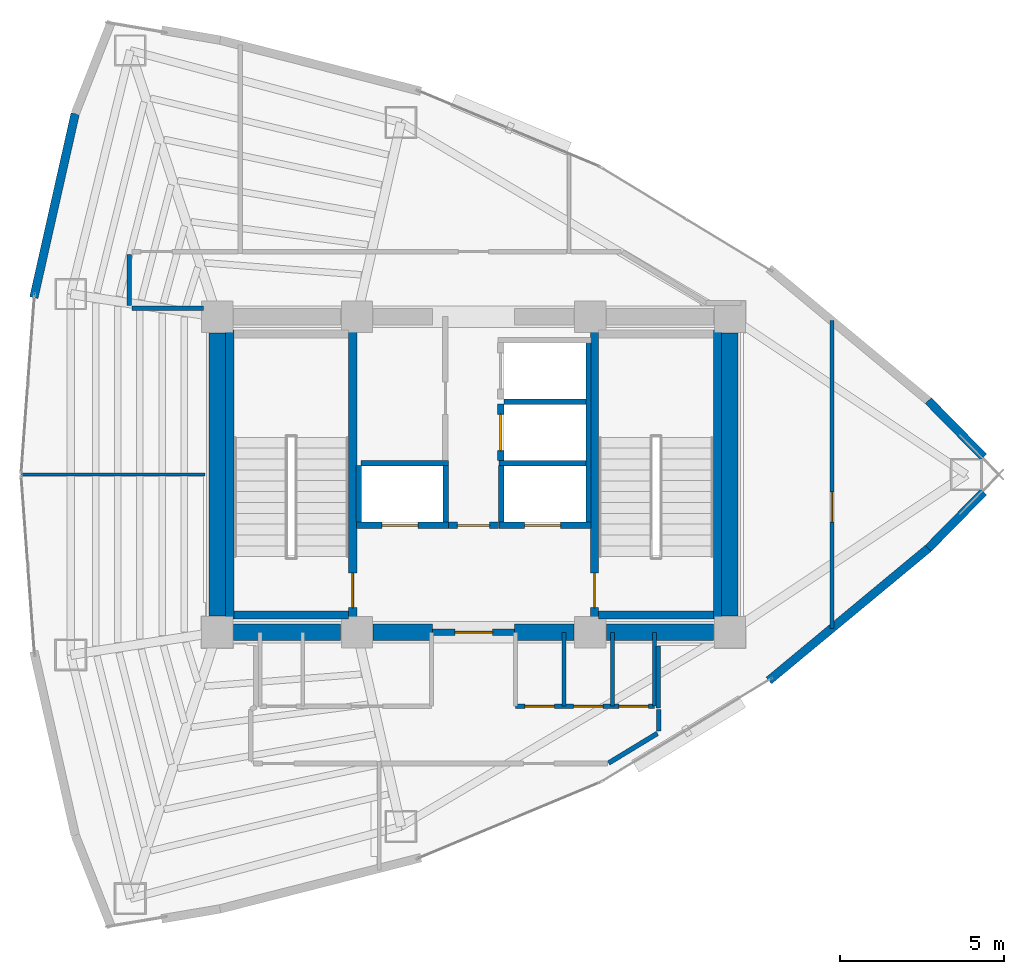
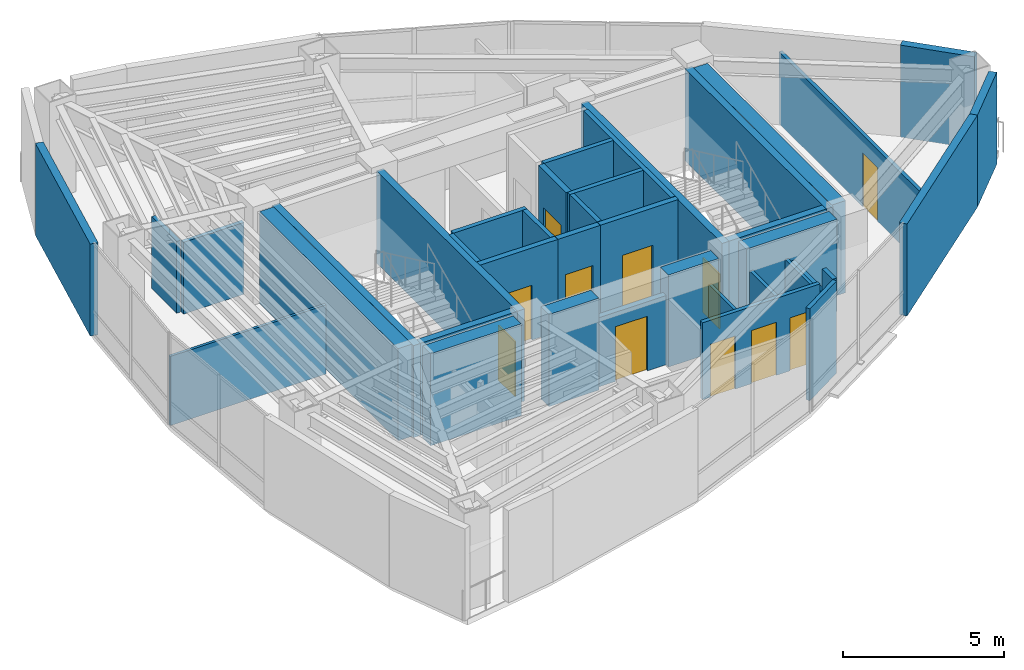
# One storey, part 12 of 15: 39 walls, 11 doors, 11 openings.
"""IFC4 building model written with IfcOpenShell, lengths in metres."""

from ifc_helpers import new_model, si_unit, direction, frame, frame_2d, origin, place, context, subcontext, project, spatial, rectangle, extrude, material, layer, layer_set, type_object, element, fill, save


model = new_model("IFC4")

# Units and contexts
model_context = context("Model", 3, precision=1e-05, world=origin(), true_north=direction((0.0, 1.0)))
body_context = subcontext(model_context, "Body", "Model", "MODEL_VIEW")
ifc_project = project(units=[si_unit("LENGTHUNIT", "METRE"), si_unit("AREAUNIT", "SQUARE_METRE"), si_unit("VOLUMEUNIT", "CUBIC_METRE"), si_unit("PLANEANGLEUNIT", "RADIAN"), si_unit("MASSUNIT", "GRAM", prefix="KILO")], contexts=[model_context])

# Site, building, storey
site_placement = place(None, origin())
site = spatial("IfcSite", under=ifc_project, at=site_placement, CompositionType="ELEMENT")
building_placement = place(site_placement, origin())
building = spatial("IfcBuilding", under=site, at=building_placement, Name="Menara Vayukalpa", CompositionType="ELEMENT")
storey_placement = place(building_placement, frame((0.0, 0.0, 187.800048828125)))
storey = spatial("IfcBuildingStorey", under=building, at=storey_placement, Name="L47", CompositionType="ELEMENT", Elevation=187.800048828125)

# Walls
ifc_material_1 = material(Name="Concrete C60/75", Category="concrete")
ifc_layer_1 = layer(ifc_material_1, 0.5)
ifc_layer_set_1 = layer_set([ifc_layer_1], Name="Concrete C60/75")
wall_type_1 = type_object("IfcWallType", Name="WAL-CW500", PredefinedType="SHEAR", material=ifc_layer_set_1)
wall_1_placement = place(storey_placement, frame((18.294921875, 17.199951171875, 0.0), z_axis=(0.0, 0.0, 1.0), x_axis=(1.0, 0.0, 0.0)))
element("IfcWall", 1, at=wall_1_placement, inside=storey, type_object=wall_type_1, Name="L47 Buttressed Core Shear Wall CWS1", PredefinedType="SHEAR", context=body_context, shape_type="SweptSolid", body=[
    extrude(rectangle(XDim=3.260009765625, YDim=0.5, at=frame_2d((1.6298828125, 0.0))), origin(), (0.0, 0.0, 1.0), 3.5),
])
wall_2_placement = place(storey_placement, frame((22.544921875, 17.199951171875, 0.0), z_axis=(0.0, 0.0, 1.0), x_axis=(1.0, 0.0, 0.0)))
element("IfcWall", 2, at=wall_2_placement, inside=storey, type_object=wall_type_1, Name="L47 Buttressed Core Shear Wall CWS2", PredefinedType="SHEAR", context=body_context, shape_type="SweptSolid", body=[
    extrude(rectangle(XDim=1.80517578125, YDim=0.5, at=frame_2d((0.902587890625, 0.0))), origin(), (0.0, 0.0, 1.0), 3.5),
])
wall_3_placement = place(storey_placement, frame((26.85009765625, 17.199951171875, 0.0), z_axis=(0.0, 0.0, 1.0), x_axis=(1.0, 0.0, 0.0)))
element("IfcWall", 3, at=wall_3_placement, inside=storey, type_object=wall_type_1, Name="L47 Buttressed Core Shear Wall CWS3", PredefinedType="SHEAR", context=body_context, shape_type="SweptSolid", body=[
    extrude(rectangle(XDim=1.804931640625, YDim=0.5, at=frame_2d((0.90234375, 0.0))), origin(), (0.0, 0.0, 1.0), 3.5),
])
wall_4_placement = place(storey_placement, frame((29.64501953125, 17.199951171875, 0.0), z_axis=(0.0, 0.0, 1.0), x_axis=(1.0, 0.0, 0.0)))
element("IfcWall", 4, at=wall_4_placement, inside=storey, type_object=wall_type_1, Name="L47 Buttressed Core Shear Wall CWS4", PredefinedType="SHEAR", context=body_context, shape_type="SweptSolid", body=[
    extrude(rectangle(XDim=3.260009765625, YDim=0.5, at=frame_2d((1.6298828125, 0.0))), origin(), (0.0, 0.0, 1.0), 3.5),
])
for number, where, z_axis, x_axis, name in (
    (5, (17.800048828125, 17.695068359375, 0.0), (0.0, 0.0, 1.0), (0.0, 1.0, 0.0), "L47 Buttressed Core Shear Wall CWW1"),
    (6, (33.39990234375, 17.695068359375, 0.0), (0.0, 0.0, 1.0), (0.0, 1.0, 0.0), "L47 Buttressed Core Shear Wall CWE1"),
):
    element("IfcWall", number, at=place(storey_placement, frame(where, z_axis=z_axis, x_axis=x_axis)), inside=storey, type_object=wall_type_1, Name=name, PredefinedType="SHEAR", context=body_context, shape_type="SweptSolid", body=[
        extrude(rectangle(XDim=8.60986328125, YDim=0.5, at=frame_2d((4.304931640625, 0.0))), origin(), (0.0, 0.0, 1.0), 3.5),
    ])
ifc_material_2 = material(Name="Insulated Precast Concrete C40/50", Category="concrete")
ifc_layer_2 = layer(ifc_material_2, 0.260009765625)
ifc_layer_set_2 = layer_set([ifc_layer_2], Name="Insulated Precast Concrete C40/50")
wall_type_2 = type_object("IfcWallType", Name="WAL-EXT260", PredefinedType="PARTITIONING", material=ifc_layer_set_2)
for number, where, z_axis, x_axis, name in (
    (7, (41.11669921875, 21.466552734375, 0.0), (0.0, 0.0, 1.0), (-0.700567481584, -0.7135861572, 0.0), "L47 Perimeter Terracotta Pier Wall 01"),
    (8, (39.43505859375, 24.246337890625, 0.0), (0.0, 0.0, 1.0), (0.700567481584, -0.7135861572, 0.0), "L47 Perimeter Terracotta Pier Wall 02"),
):
    element("IfcWall", number, at=place(storey_placement, frame(where, z_axis=z_axis, x_axis=x_axis)), inside=storey, type_object=wall_type_2, Name=name, PredefinedType="PARTITIONING", context=body_context, shape_type="SweptSolid", body=[
        extrude(rectangle(XDim=2.400390625, YDim=0.260009765625, at=frame_2d((1.2001953125, 0.0))), origin(), (0.0, 0.0, 1.0), 3.5),
    ])
wall_5_placement = place(storey_placement, frame((12.219970703125, 27.3818359375, 0.0), z_axis=(0.0, 0.0, 1.0), x_axis=(0.219475737697, 0.975617958303, 0.0)))
element("IfcWall", 9, at=wall_5_placement, inside=storey, type_object=wall_type_2, Name="L47 Perimeter Terracotta Pier Wall 09", PredefinedType="PARTITIONING", context=body_context, shape_type="SweptSolid", body=[
    extrude(rectangle(XDim=5.736572265625, YDim=0.260009765625, at=frame_2d((2.8681640625, 0.0))), origin(), (0.0, 0.0, 1.0), 3.5),
])
wall_6_placement = place(storey_placement, frame((39.44384765625, 19.76171875, 0.0), z_axis=(0.0, 0.0, 1.0), x_axis=(-0.769765373155, -0.638326930571, 0.0)))
element("IfcWall", 10, at=wall_6_placement, inside=storey, type_object=wall_type_2, Name="L47 Perimeter Terracotta Pier Wall 18", PredefinedType="PARTITIONING", context=body_context, shape_type="SweptSolid", body=[
    extrude(rectangle(XDim=6.3154296875, YDim=0.260009765625, at=frame_2d((3.15771484375, 0.0))), origin(), (0.0, 0.0, 1.0), 3.5),
])
ifc_material_3 = material(Name="Lightweight Concrete Blockwork C16/20", Category="masonry")
ifc_layer_3 = layer(ifc_material_3, 0.159912109375)
ifc_layer_set_3 = layer_set([ifc_layer_3], Name="Lightweight Concrete Blockwork C16/20")
wall_type_3 = type_object("IfcWallType", Name="WAL-FR150", PredefinedType="PARTITIONING", material=ifc_layer_set_3)
for number, where, z_axis, x_axis, name in (
    (11, (22.10498046875, 20.56005859375, 0.0), (0.0, 0.0, 1.0), (0.0, 1.0, 0.0), "L47 Interior Partition IW-L47-SHW-WW"),
    (12, (24.7548828125, 20.56005859375, 0.0), (0.0, 0.0, 1.0), (0.0, 1.0, 0.0), "L47 Interior Partition IW-L47-SHW-W1E"),
):
    element("IfcWall", number, at=place(storey_placement, frame(where, z_axis=z_axis, x_axis=x_axis)), inside=storey, type_object=wall_type_3, Name=name, PredefinedType="PARTITIONING", context=body_context, shape_type="SweptSolid", body=[
        extrude(rectangle(XDim=1.7099609375, YDim=0.159912109375, at=frame_2d((0.85498046875, 0.0))), origin(), (0.0, 0.0, 1.0), 3.5),
    ])
wall_7_placement = place(storey_placement, frame((22.179931640625, 22.344970703125, 0.0), z_axis=(0.0, 0.0, 1.0), x_axis=(1.0, 0.0, 0.0)))
element("IfcWall", 13, at=wall_7_placement, inside=storey, type_object=wall_type_3, Name="L47 Interior Partition IW-L47-SHM-W12", PredefinedType="PARTITIONING", context=body_context, shape_type="SweptSolid", body=[
    extrude(rectangle(XDim=2.650146484375, YDim=0.159912109375, at=frame_2d((1.3251953125, 0.0))), origin(), (0.0, 0.0, 1.0), 3.5),
])
wall_8_placement = place(storey_placement, frame((29.094970703125, 20.56005859375, 0.0), z_axis=(0.0, 0.0, 1.0), x_axis=(0.0, 1.0, 0.0)))
element("IfcWall", 14, at=wall_8_placement, inside=storey, type_object=wall_type_3, Name="L47 Interior Partition IW-L47-SHW-EE", PredefinedType="PARTITIONING", context=body_context, shape_type="SweptSolid", body=[
    extrude(rectangle(XDim=5.449951171875, YDim=0.159912109375, at=frame_2d((2.72509765625, 0.0))), origin(), (0.0, 0.0, 1.0), 3.5),
])
wall_9_placement = place(storey_placement, frame((26.445068359375, 20.56005859375, 0.0), z_axis=(0.0, 0.0, 1.0), x_axis=(0.0, 1.0, 0.0)))
element("IfcWall", 15, at=wall_9_placement, inside=storey, type_object=wall_type_3, Name="L47 Interior Partition IW-L47-SHW-E1W", PredefinedType="PARTITIONING", context=body_context, shape_type="SweptSolid", body=[
    extrude(rectangle(XDim=1.7099609375, YDim=0.159912109375, at=frame_2d((0.85498046875, 0.0))), origin(), (0.0, 0.0, 1.0), 3.5),
])
wall_10_placement = place(storey_placement, frame((26.3701171875, 22.344970703125, 0.0), z_axis=(0.0, 0.0, 1.0), x_axis=(1.0, 0.0, 0.0)))
element("IfcWall", 16, at=wall_10_placement, inside=storey, type_object=wall_type_3, Name="L47 Interior Partition IW-L47-SHM-E13", PredefinedType="PARTITIONING", context=body_context, shape_type="SweptSolid", body=[
    extrude(rectangle(XDim=2.64990234375, YDim=0.159912109375, at=frame_2d((1.324951171875, 0.0))), origin(), (0.0, 0.0, 1.0), 3.5),
])
wall_11_placement = place(storey_placement, frame((26.530029296875, 24.215087890625, 0.0), z_axis=(0.0, 0.0, 1.0), x_axis=(1.0, 0.0, 0.0)))
element("IfcWall", 17, at=wall_11_placement, inside=storey, type_object=wall_type_3, Name="L47 Interior Partition IW-L47-SHM-E32", PredefinedType="PARTITIONING", context=body_context, shape_type="SweptSolid", body=[
    extrude(rectangle(XDim=2.489990234375, YDim=0.159912109375, at=frame_2d((1.2451171875, 0.0))), origin(), (0.0, 0.0, 1.0), 3.5),
])

# Wall, opening, door
ifc_material_4 = material(Name="Lightweight Concrete Blockwork C16/20", Category="masonry")
ifc_layer_4 = layer(ifc_material_4, 0.199951171875)
ifc_layer_set_4 = layer_set([ifc_layer_4], Name="Lightweight Concrete Blockwork C16/20")
wall_type_4 = type_object("IfcWallType", Name="WAL-FR200", PredefinedType="PARTITIONING", material=ifc_layer_set_4)
wall_12_placement = place(storey_placement, frame((24.35009765625, 17.199951171875, 0.0), z_axis=(0.0, 0.0, 1.0), x_axis=(1.0, 0.0, 0.0)))
wall_12 = element("IfcWall", 18, at=wall_12_placement, inside=storey, type_object=wall_type_4, Name="L47 Interior Partition IW-L47-FFLS", PredefinedType="PARTITIONING", context=body_context, shape_type="SweptSolid", body=[
    extrude(rectangle(XDim=2.5, YDim=0.199951171875, at=frame_2d((1.25, 0.0))), origin(), (0.0, 0.0, 1.0), 2.6298828125),
])
opening_1_placement = place(wall_12_placement, frame((0.679931640625, 0.0, 0.0)))
opening_1 = element("IfcOpeningElement", 19, at=opening_1_placement, cuts=wall_12, Name="Opening ID2", PredefinedType="OPENING", context=body_context, shape_type="SweptSolid", body=[
    extrude(rectangle(XDim=1.14990234375, YDim=2.080078125, at=frame_2d((0.574951171875, 1.0400390625))), frame((0.0, 0.10986328125, 0.0), z_axis=(0.0, -1.0, 0.0), x_axis=(1.0, 0.0, 0.0)), (0.0, 0.0, 1.0), 0.219970703125),
])
ifc_material_5 = material(Name="Fire-Rated Powder-Coated Steel Door", Category="steel")
door_type_1 = type_object("IfcDoorType", Name="DR-FD60W", OperationType="NOTDEFINED", PredefinedType="DOOR", material=ifc_material_5)
door_1_placement = place(opening_1_placement, origin())
door_1 = element("IfcDoor", 20, at=door_1_placement, inside=storey, type_object=door_type_1, Name="L47 Interior Door DR-L47-FFLS", OperationType="SINGLE_SWING_LEFT", OverallHeight=2.080078125, OverallWidth=1.14990234375, PredefinedType="DOOR", context=body_context, shape_type="SweptSolid", body=[
    extrude(rectangle(XDim=1.14990234375, YDim=2.080078125, at=frame_2d((0.574951171875, 1.0400390625))), frame((0.0, 0.02490234375, 0.0), z_axis=(0.0, -1.0, 0.0), x_axis=(1.0, 0.0, 0.0)), (0.0, 0.0, 1.0), 0.050048828125),
])
fill(opening_1, door_1)

wall_13_placement = place(storey_placement, frame((24.840087890625, 20.449951171875, 0.0), z_axis=(0.0, 0.0, 1.0), x_axis=(1.0, 0.0, 0.0)))
wall_13 = element("IfcWall", 21, at=wall_13_placement, inside=storey, type_object=wall_type_4, Name="L47 Interior Partition IW-L47-FFLN", PredefinedType="PARTITIONING", context=body_context, shape_type="SweptSolid", body=[
    extrude(rectangle(XDim=1.52001953125, YDim=0.199951171875, at=frame_2d((0.760009765625, 0.0))), origin(), (0.0, 0.0, 1.0), 3.5),
])
opening_2_placement = place(wall_13_placement, frame((0.27001953125, 0.0, 0.0)))
opening_2 = element("IfcOpeningElement", 22, at=opening_2_placement, cuts=wall_13, Name="Opening ID3", PredefinedType="OPENING", context=body_context, shape_type="SweptSolid", body=[
    extrude(rectangle(XDim=0.97998046875, YDim=2.06005859375, at=frame_2d((0.489990234375, 1.030029296875))), frame((0.0, 0.10986328125, 0.0), z_axis=(0.0, -1.0, 0.0), x_axis=(1.0, 0.0, 0.0)), (0.0, 0.0, 1.0), 0.219970703125),
])
ifc_material_6 = material(Name="Fire-Rated Powder-Coated Steel Door", Category="steel")
door_type_2 = type_object("IfcDoorType", Name="DR-FD60", OperationType="NOTDEFINED", PredefinedType="DOOR", material=ifc_material_6)
door_2_placement = place(opening_2_placement, origin())
door_2 = element("IfcDoor", 23, at=door_2_placement, inside=storey, type_object=door_type_2, Name="L47 Interior Door DR-L47-FFLN", OperationType="SINGLE_SWING_RIGHT", OverallHeight=2.06005859375, OverallWidth=0.97998046875, PredefinedType="DOOR", context=body_context, shape_type="SweptSolid", body=[
    extrude(rectangle(XDim=0.97998046875, YDim=2.06005859375, at=frame_2d((0.489990234375, 1.030029296875))), frame((0.0, 0.02490234375, 0.0), z_axis=(0.0, -1.0, 0.0), x_axis=(1.0, 0.0, 0.0)), (0.0, 0.0, 1.0), 0.050048828125),
])
fill(opening_2, door_2)

wall_14_placement = place(storey_placement, frame((22.030029296875, 20.449951171875, 0.0), z_axis=(0.0, 0.0, 1.0), x_axis=(1.0, 0.0, 0.0)))
wall_14 = element("IfcWall", 24, at=wall_14_placement, inside=storey, type_object=wall_type_4, Name="L47 Interior Partition IW-L47-SH-W1", PredefinedType="PARTITIONING", context=body_context, shape_type="SweptSolid", body=[
    extrude(rectangle(XDim=2.800048828125, YDim=0.199951171875, at=frame_2d((1.39990234375, 0.0))), origin(), (0.0, 0.0, 1.0), 3.5),
])
opening_3_placement = place(wall_14_placement, frame((0.780029296875, 0.0, 0.0)))
opening_3 = element("IfcOpeningElement", 25, at=opening_3_placement, cuts=wall_14, Name="Opening LD1", PredefinedType="OPENING", context=body_context, shape_type="SweptSolid", body=[
    extrude(rectangle(XDim=1.10009765625, YDim=2.080078125, at=frame_2d((0.550048828125, 1.0400390625))), frame((0.0, 0.10986328125, 0.0), z_axis=(0.0, -1.0, 0.0), x_axis=(1.0, 0.0, 0.0)), (0.0, 0.0, 1.0), 0.219970703125),
])
ifc_material_7 = material(Name="Brushed Stainless Steel 316 Lift Door", Category="steel")
door_type_3 = type_object("IfcDoorType", Name="DR-LD110", OperationType="NOTDEFINED", PredefinedType="DOOR", material=ifc_material_7)
door_3_placement = place(opening_3_placement, origin())
door_3 = element("IfcDoor", 26, at=door_3_placement, inside=storey, type_object=door_type_3, Name="L47 Interior Door DR-L47-LD-W1", OperationType="DOUBLE_DOOR_SLIDING", OverallHeight=2.080078125, OverallWidth=1.10009765625, PredefinedType="DOOR", context=body_context, shape_type="SweptSolid", body=[
    extrude(rectangle(XDim=1.10009765625, YDim=2.080078125, at=frame_2d((0.550048828125, 1.0400390625))), frame((0.0, 0.02490234375, 0.0), z_axis=(0.0, -1.0, 0.0), x_axis=(1.0, 0.0, 0.0)), (0.0, 0.0, 1.0), 0.050048828125),
])
fill(opening_3, door_3)

wall_15_placement = place(storey_placement, frame((26.3701171875, 20.449951171875, 0.0), z_axis=(0.0, 0.0, 1.0), x_axis=(1.0, 0.0, 0.0)))
wall_15 = element("IfcWall", 27, at=wall_15_placement, inside=storey, type_object=wall_type_4, Name="L47 Interior Partition IW-L47-SH-E1", PredefinedType="PARTITIONING", context=body_context, shape_type="SweptSolid", body=[
    extrude(rectangle(XDim=2.7998046875, YDim=0.199951171875, at=frame_2d((1.39990234375, 0.0))), origin(), (0.0, 0.0, 1.0), 3.5),
])
opening_4_placement = place(wall_15_placement, frame((0.780029296875, 0.0, 0.0)))
opening_4 = element("IfcOpeningElement", 28, at=opening_4_placement, cuts=wall_15, Name="Opening LD1", PredefinedType="OPENING", context=body_context, shape_type="SweptSolid", body=[
    extrude(rectangle(XDim=1.10009765625, YDim=2.080078125, at=frame_2d((0.550048828125, 1.0400390625))), frame((0.0, 0.10986328125, 0.0), z_axis=(0.0, -1.0, 0.0), x_axis=(1.0, 0.0, 0.0)), (0.0, 0.0, 1.0), 0.219970703125),
])
door_4_placement = place(opening_4_placement, origin())
door_4 = element("IfcDoor", 29, at=door_4_placement, inside=storey, type_object=door_type_3, Name="L47 Interior Door DR-L47-LD-E1", OperationType="DOUBLE_DOOR_SLIDING", OverallHeight=2.080078125, OverallWidth=1.10009765625, PredefinedType="DOOR", context=body_context, shape_type="SweptSolid", body=[
    extrude(rectangle(XDim=1.10009765625, YDim=2.080078125, at=frame_2d((0.550048828125, 1.0400390625))), frame((0.0, 0.02490234375, 0.0), z_axis=(0.0, -1.0, 0.0), x_axis=(1.0, 0.0, 0.0)), (0.0, 0.0, 1.0), 0.050048828125),
])
fill(opening_4, door_4)

wall_16_placement = place(storey_placement, frame((26.419921875, 22.419921875, 0.0), z_axis=(0.0, 0.0, 1.0), x_axis=(0.0, 1.0, 0.0)))
wall_16 = element("IfcWall", 30, at=wall_16_placement, inside=storey, type_object=wall_type_4, Name="L47 Interior Partition IW-L47-SH-E3", PredefinedType="PARTITIONING", context=body_context, shape_type="SweptSolid", body=[
    extrude(rectangle(XDim=1.719970703125, YDim=0.199951171875, at=frame_2d((0.85986328125, 0.0))), origin(), (0.0, 0.0, 1.0), 3.5),
])
opening_5_placement = place(wall_16_placement, frame((0.31005859375, 0.0, 0.0)))
opening_5 = element("IfcOpeningElement", 31, at=opening_5_placement, cuts=wall_16, Name="Opening LD1", PredefinedType="OPENING", context=body_context, shape_type="SweptSolid", body=[
    extrude(rectangle(XDim=1.10009765625, YDim=2.080078125, at=frame_2d((0.550048828125, 1.0400390625))), frame((0.0, 0.10986328125, 0.0), z_axis=(0.0, -1.0, 0.0), x_axis=(1.0, 0.0, 0.0)), (0.0, 0.0, 1.0), 0.219970703125),
])
door_5_placement = place(opening_5_placement, origin())
door_5 = element("IfcDoor", 32, at=door_5_placement, inside=storey, type_object=door_type_3, Name="L47 Interior Door DR-L47-LD-E3", OperationType="DOUBLE_DOOR_SLIDING", OverallHeight=2.080078125, OverallWidth=1.10009765625, PredefinedType="DOOR", context=body_context, shape_type="SweptSolid", body=[
    extrude(rectangle(XDim=1.10009765625, YDim=2.080078125, at=frame_2d((0.550048828125, 1.0400390625))), frame((0.0, 0.02490234375, 0.0), z_axis=(0.0, -1.0, 0.0), x_axis=(1.0, 0.0, 0.0)), (0.0, 0.0, 1.0), 0.050048828125),
])
fill(opening_5, door_5)

# Walls
ifc_material_8 = material(Name="Glazed Demountable Office Partition", Category="glass")
ifc_layer_5 = layer(ifc_material_8, 0.094970703125)
ifc_layer_set_5 = layer_set([ifc_layer_5], Name="Glazed Demountable Office Partition")
wall_type_5 = type_object("IfcWallType", Name="WAL-PT100", PredefinedType="PARTITIONING", material=ifc_layer_set_5)
wall_17_placement = place(storey_placement, frame((11.822265625, 22.0, 0.0), z_axis=(0.0, 0.0, 1.0), x_axis=(1.0, 0.0, 0.0)))
element("IfcWall", 33, at=wall_17_placement, inside=storey, type_object=wall_type_5, Name="L47 Interior Partition IW-L47-RDIV04", PredefinedType="PARTITIONING", context=body_context, shape_type="SweptSolid", body=[
    extrude(rectangle(XDim=5.607666015625, YDim=0.094970703125, at=frame_2d((2.8037109375, 0.0))), origin(), (0.0, 0.0, 1.0), 2.6298828125),
])
ifc_material_9 = material(Name="Acoustic Mineral Stud Partition", Category="masonry")
ifc_layer_6 = layer(ifc_material_9, 0.110107421875)
ifc_layer_set_6 = layer_set([ifc_layer_6], Name="Acoustic Mineral Stud Partition")
wall_type_6 = type_object("IfcWallType", Name="WAL-PT110", PredefinedType="PARTITIONING", material=ifc_layer_set_6)
wall_18_placement = place(storey_placement, frame((28.35009765625, 14.949951171875, 0.0), z_axis=(0.0, 0.0, 1.0), x_axis=(0.0, 1.0, 0.0)))
element("IfcWall", 34, at=wall_18_placement, inside=storey, type_object=wall_type_6, Name="L47 Interior Partition IW-L47-SVCD-05", PredefinedType="PARTITIONING", context=body_context, shape_type="SweptSolid", body=[
    extrude(rectangle(XDim=2.25, YDim=0.110107421875, at=frame_2d((1.125, 0.0))), origin(), (0.0, 0.0, 1.0), 2.6298828125),
])
ifc_material_10 = material(Name="Gypsum Drywall Steel Stud Assembly", Category="steel")
ifc_layer_7 = layer(ifc_material_10, 0.125)
ifc_layer_set_7 = layer_set([ifc_layer_7], Name="Gypsum Drywall Steel Stud Assembly")
wall_type_7 = type_object("IfcWallType", Name="WAL-PT125", PredefinedType="PARTITIONING", material=ifc_layer_set_7)
for number, where, z_axis, x_axis, name in (
    (35, (29.830078125, 14.949951171875, 0.0), (0.0, 0.0, 1.0), (0.0, 1.0, 0.0), "L47 Interior Partition IW-L47-SVCD-06"),
    (36, (31.10009765625, 14.949951171875, 0.0), (0.0, 0.0, 1.0), (0.0, 1.0, 0.0), "L47 Interior Partition IW-L47-SVCD-07"),
):
    element("IfcWall", number, at=place(storey_placement, frame(where, z_axis=z_axis, x_axis=x_axis)), inside=storey, type_object=wall_type_7, Name=name, PredefinedType="PARTITIONING", context=body_context, shape_type="SweptSolid", body=[
        extrude(rectangle(XDim=2.25, YDim=0.125, at=frame_2d((1.125, 0.0))), origin(), (0.0, 0.0, 1.0), 2.6298828125),
    ])

# Wall, opening, door
wall_19_placement = place(storey_placement, frame((36.5, 17.3076171875, 0.0), z_axis=(0.0, 0.0, 1.0), x_axis=(0.0, 1.0, 0.0)))
wall_19 = element("IfcWall", 37, at=wall_19_placement, inside=storey, type_object=wall_type_7, Name="L47 Interior Partition IW-L47-RDIV03", PredefinedType="PARTITIONING", context=body_context, shape_type="SweptSolid", body=[
    extrude(rectangle(XDim=9.384765625, YDim=0.125, at=frame_2d((4.6923828125, 0.0))), origin(), (0.0, 0.0, 1.0), 2.72998046875),
])
opening_6_placement = place(wall_19_placement, frame((3.244384765625, 0.0, 0.0)))
opening_6 = element("IfcOpeningElement", 38, at=opening_6_placement, cuts=wall_19, Name="Opening ID6", PredefinedType="OPENING", context=body_context, shape_type="SweptSolid", body=[
    extrude(rectangle(XDim=0.919921875, YDim=2.050048828125, at=frame_2d((0.4599609375, 1.02490234375))), frame((0.0, 0.072509765625, 0.0), z_axis=(0.0, -1.0, 0.0), x_axis=(1.0, 0.0, 0.0)), (0.0, 0.0, 1.0), 0.14501953125),
])
ifc_material_11 = material(Name="Acoustic Hardwood Veneer Timber Door", Category="wood")
door_type_4 = type_object("IfcDoorType", Name="DR-INT92", OperationType="NOTDEFINED", PredefinedType="DOOR", material=ifc_material_11)
door_6_placement = place(opening_6_placement, origin())
door_6 = element("IfcDoor", 39, at=door_6_placement, inside=storey, type_object=door_type_4, Name="L47 Interior Door DR-L47-STE03", OperationType="SINGLE_SWING_LEFT", OverallHeight=2.050048828125, OverallWidth=0.919921875, PredefinedType="DOOR", context=body_context, shape_type="SweptSolid", body=[
    extrude(rectangle(XDim=0.919921875, YDim=2.050048828125, at=frame_2d((0.4599609375, 1.02490234375))), frame((0.0, 0.02490234375, 0.0), z_axis=(0.0, -1.0, 0.0), x_axis=(1.0, 0.0, 0.0)), (0.0, 0.0, 1.0), 0.050048828125),
])
fill(opening_6, door_6)

# Wall, openings, doors
ifc_material_12 = material(Name="Gypsum Drywall Acoustic Stud Assembly", Category="masonry")
ifc_layer_8 = layer(ifc_material_12, 0.14501953125)
ifc_layer_set_8 = layer_set([ifc_layer_8], Name="Gypsum Drywall Acoustic Stud Assembly")
wall_type_8 = type_object("IfcWallType", Name="WAL-PT150", PredefinedType="PARTITIONING", material=ifc_layer_set_8)
wall_20_placement = place(storey_placement, frame((26.8798828125, 14.949951171875, 0.0), z_axis=(0.0, 0.0, 1.0), x_axis=(1.0, 0.0, 0.0)))
wall_20 = element("IfcWall", 40, at=wall_20_placement, inside=storey, type_object=wall_type_8, Name="L47 Interior Partition IW-L47-SVCS-E", PredefinedType="PARTITIONING", context=body_context, shape_type="SweptSolid", body=[
    extrude(rectangle(XDim=4.22021484375, YDim=0.14501953125, at=frame_2d((2.110107421875, 0.0))), origin(), (0.0, 0.0, 1.0), 2.929931640625),
])
opening_7_placement = place(wall_20_placement, frame((0.280029296875, 0.0, 0.0)))
opening_7 = element("IfcOpeningElement", 41, at=opening_7_placement, cuts=wall_20, Name="Opening ID7", PredefinedType="OPENING", context=body_context, shape_type="SweptSolid", body=[
    extrude(rectangle(XDim=0.89990234375, YDim=2.02001953125, at=frame_2d((0.449951171875, 1.010009765625))), frame((0.0, 0.08251953125, 0.0), z_axis=(0.0, -1.0, 0.0), x_axis=(1.0, 0.0, 0.0)), (0.0, 0.0, 1.0), 0.1650390625),
])
opening_8_placement = place(wall_20_placement, frame((1.760009765625, 0.0, 0.0)))
opening_8 = element("IfcOpeningElement", 42, at=opening_8_placement, cuts=wall_20, Name="Opening ID7", PredefinedType="OPENING", context=body_context, shape_type="SweptSolid", body=[
    extrude(rectangle(XDim=0.89990234375, YDim=2.02001953125, at=frame_2d((0.449951171875, 1.010009765625))), frame((0.0, 0.08251953125, 0.0), z_axis=(0.0, -1.0, 0.0), x_axis=(1.0, 0.0, 0.0)), (0.0, 0.0, 1.0), 0.1650390625),
])
opening_9_placement = place(wall_20_placement, frame((3.139892578125, 0.0, 0.0)))
opening_9 = element("IfcOpeningElement", 43, at=opening_9_placement, cuts=wall_20, Name="Opening ID7", PredefinedType="OPENING", context=body_context, shape_type="SweptSolid", body=[
    extrude(rectangle(XDim=0.89990234375, YDim=2.02001953125, at=frame_2d((0.449951171875, 1.010009765625))), frame((0.0, 0.08251953125, 0.0), z_axis=(0.0, -1.0, 0.0), x_axis=(1.0, 0.0, 0.0)), (0.0, 0.0, 1.0), 0.1650390625),
])
ifc_material_13 = material(Name="Powder-Coated Steel Riser Access Door", Category="steel")
door_type_5 = type_object("IfcDoorType", Name="DR-RISER", OperationType="NOTDEFINED", PredefinedType="DOOR", material=ifc_material_13)
door_7_placement = place(opening_7_placement, origin())
door_7 = element("IfcDoor", 44, at=door_7_placement, inside=storey, type_object=door_type_5, Name="L47 Interior Door DR-L47-KSV1", OperationType="SINGLE_SWING_RIGHT", OverallHeight=2.02001953125, OverallWidth=0.89990234375, PredefinedType="DOOR", context=body_context, shape_type="SweptSolid", body=[
    extrude(rectangle(XDim=0.89990234375, YDim=2.02001953125, at=frame_2d((0.449951171875, 1.010009765625))), frame((0.0, 0.02490234375, 0.0), z_axis=(0.0, -1.0, 0.0), x_axis=(1.0, 0.0, 0.0)), (0.0, 0.0, 1.0), 0.050048828125),
])
fill(opening_7, door_7)
door_8_placement = place(opening_8_placement, origin())
door_8 = element("IfcDoor", 45, at=door_8_placement, inside=storey, type_object=door_type_5, Name="L47 Interior Door DR-L47-KSV2", OperationType="SINGLE_SWING_LEFT", OverallHeight=2.02001953125, OverallWidth=0.89990234375, PredefinedType="DOOR", context=body_context, shape_type="SweptSolid", body=[
    extrude(rectangle(XDim=0.89990234375, YDim=2.02001953125, at=frame_2d((0.449951171875, 1.010009765625))), frame((0.0, 0.02490234375, 0.0), z_axis=(0.0, -1.0, 0.0), x_axis=(1.0, 0.0, 0.0)), (0.0, 0.0, 1.0), 0.050048828125),
])
fill(opening_8, door_8)
door_9_placement = place(opening_9_placement, origin())
door_9 = element("IfcDoor", 46, at=door_9_placement, inside=storey, type_object=door_type_5, Name="L47 Interior Door DR-L47-SMD", OperationType="SINGLE_SWING_RIGHT", OverallHeight=2.02001953125, OverallWidth=0.89990234375, PredefinedType="DOOR", context=body_context, shape_type="SweptSolid", body=[
    extrude(rectangle(XDim=0.89990234375, YDim=2.02001953125, at=frame_2d((0.449951171875, 1.010009765625))), frame((0.0, 0.02490234375, 0.0), z_axis=(0.0, -1.0, 0.0), x_axis=(1.0, 0.0, 0.0)), (0.0, 0.0, 1.0), 0.050048828125),
])
fill(opening_9, door_9)

# Walls
wall_21_placement = place(storey_placement, frame((29.708984375, 13.2216796875, 0.0), z_axis=(0.0, 0.0, 1.0), x_axis=(0.854635840942, 0.519227868451, 0.0)))
element("IfcWall", 47, at=wall_21_placement, inside=storey, type_object=wall_type_8, Name="L47 Interior Partition IW-L47-CRM02-2", PredefinedType="PARTITIONING", context=body_context, shape_type="SweptSolid", body=[
    extrude(rectangle(XDim=1.734619140625, YDim=0.14501953125, at=frame_2d((0.8671875, 0.0))), origin(), (0.0, 0.0, 1.0), 3.5),
])
wall_22_placement = place(storey_placement, frame((31.22998046875, 14.190673828125, 0.0), z_axis=(0.0, 0.0, 1.0), x_axis=(0.0, 1.0, 0.0)))
element("IfcWall", 48, at=wall_22_placement, inside=storey, type_object=wall_type_8, Name="L47 Interior Partition IW-L47-CRM02-3", PredefinedType="PARTITIONING", context=body_context, shape_type="SweptSolid", body=[
    extrude(rectangle(XDim=0.659423828125, YDim=0.14501953125, at=frame_2d((0.32958984375, 0.0))), origin(), (0.0, 0.0, 1.0), 3.5),
])
wall_23_placement = place(storey_placement, frame((31.219970703125, 14.888671875, 0.0), z_axis=(0.0, 0.0, 1.0), x_axis=(0.0, 1.0, 0.0)))
element("IfcWall", 49, at=wall_23_placement, inside=storey, type_object=wall_type_8, Name="L47 Interior Partition IW-L47-CRM02-4", PredefinedType="PARTITIONING", context=body_context, shape_type="SweptSolid", body=[
    extrude(rectangle(XDim=1.891357421875, YDim=0.14501953125, at=frame_2d((0.94580078125, 0.0))), origin(), (0.0, 0.0, 1.0), 2.6298828125),
])
wall_24_placement = place(storey_placement, frame((15.1201171875, 28.699951171875, 0.0), z_axis=(0.0, 0.0, 1.0), x_axis=(0.0, -1.0, 0.0)))
element("IfcWall", 50, at=wall_24_placement, inside=storey, type_object=wall_type_8, Name="L47 Interior Partition IW-L47-CRM05-2", PredefinedType="PARTITIONING", context=body_context, shape_type="SweptSolid", body=[
    extrude(rectangle(XDim=1.56005859375, YDim=0.14501953125, at=frame_2d((0.780029296875, 0.0))), origin(), (0.0, 0.0, 1.0), 2.72998046875),
])
wall_25_placement = place(storey_placement, frame((15.199951171875, 27.06005859375, 0.0), z_axis=(0.0, 0.0, 1.0), x_axis=(1.0, 0.0, 0.0)))
element("IfcWall", 51, at=wall_25_placement, inside=storey, type_object=wall_type_8, Name="L47 Interior Partition IW-L47-CRM05-3", PredefinedType="PARTITIONING", context=body_context, shape_type="SweptSolid", body=[
    extrude(rectangle(XDim=2.179931640625, YDim=0.14501953125, at=frame_2d((1.08984375, 0.0))), origin(), (0.0, 0.0, 1.0), 2.72998046875),
])
ifc_material_14 = material(Name="Concrete C50/60", Category="concrete")
ifc_layer_9 = layer(ifc_material_14, 0.25)
ifc_layer_set_9 = layer_set([ifc_layer_9], Name="Concrete C50/60")
wall_type_9 = type_object("IfcWallType", Name="WAL-SW250", PredefinedType="SHEAR", material=ifc_layer_set_9)
wall_26_placement = place(storey_placement, frame((18.178955078125, 17.60009765625, 0.0), z_axis=(0.0, 0.0, 1.0), x_axis=(0.0, 1.0, 0.0)))
element("IfcWall", 52, at=wall_26_placement, inside=storey, type_object=wall_type_9, Name="L47 ST1 Structural Stair Shaft Wall W", PredefinedType="SHEAR", context=body_context, shape_type="SweptSolid", body=[
    extrude(rectangle(XDim=8.7998046875, YDim=0.25, at=frame_2d((4.39990234375, 0.0))), origin(), (0.0, 0.0, 1.0), 3.5),
])

# Wall, opening, door
wall_27_placement = place(storey_placement, frame((21.925048828125, 17.60009765625, 0.0), z_axis=(0.0, 0.0, 1.0), x_axis=(0.0, 1.0, 0.0)))
wall_27 = element("IfcWall", 53, at=wall_27_placement, inside=storey, type_object=wall_type_9, Name="L47 ST1 Structural Stair Shaft Wall E", PredefinedType="SHEAR", context=body_context, shape_type="SweptSolid", body=[
    extrude(rectangle(XDim=8.7998046875, YDim=0.25, at=frame_2d((4.39990234375, 0.0))), origin(), (0.0, 0.0, 1.0), 3.5),
])
opening_10_placement = place(wall_27_placement, frame((0.35009765625, 0.0, 0.0)))
opening_10 = element("IfcOpeningElement", 54, at=opening_10_placement, cuts=wall_27, Name="Opening ID1", PredefinedType="OPENING", context=body_context, shape_type="SweptSolid", body=[
    extrude(rectangle(XDim=1.050048828125, YDim=2.080078125, at=frame_2d((0.52490234375, 1.0400390625))), frame((0.0, 0.135009765625, 0.0), z_axis=(0.0, -1.0, 0.0), x_axis=(1.0, 0.0, 0.0)), (0.0, 0.0, 1.0), 0.27001953125),
])
ifc_material_15 = material(Name="Fire-Rated Powder-Coated Steel Door", Category="steel")
door_type_6 = type_object("IfcDoorType", Name="DR-FD120", OperationType="NOTDEFINED", PredefinedType="DOOR", material=ifc_material_15)
door_10_placement = place(opening_10_placement, origin())
door_10 = element("IfcDoor", 55, at=door_10_placement, inside=storey, type_object=door_type_6, Name="L47 Stair Exit Door DR-L47-ST1", OperationType="SINGLE_SWING_LEFT", OverallHeight=2.080078125, OverallWidth=1.050048828125, PredefinedType="DOOR", context=body_context, shape_type="SweptSolid", body=[
    extrude(rectangle(XDim=1.050048828125, YDim=2.080078125, at=frame_2d((0.52490234375, 1.0400390625))), frame((0.0, 0.02490234375, 0.0), z_axis=(0.0, -1.0, 0.0), x_axis=(1.0, 0.0, 0.0)), (0.0, 0.0, 1.0), 0.050048828125),
])
fill(opening_10, door_10)

# Wall
wall_28_placement = place(storey_placement, frame((18.303955078125, 17.72509765625, 0.0), z_axis=(0.0, 0.0, 1.0), x_axis=(1.0, 0.0, 0.0)))
element("IfcWall", 56, at=wall_28_placement, inside=storey, type_object=wall_type_9, Name="L47 ST1 Structural Stair Shaft Wall S", PredefinedType="SHEAR", context=body_context, shape_type="SweptSolid", body=[
    extrude(rectangle(XDim=3.49609375, YDim=0.25, at=frame_2d((1.748046875, 0.0))), origin(), (0.0, 0.0, 1.0), 3.5),
])

# Wall, opening, door
wall_29_placement = place(storey_placement, frame((29.27490234375, 17.60009765625, 0.0), z_axis=(0.0, 0.0, 1.0), x_axis=(0.0, 1.0, 0.0)))
wall_29 = element("IfcWall", 57, at=wall_29_placement, inside=storey, type_object=wall_type_9, Name="L47 ST2 Structural Stair Shaft Wall W", PredefinedType="SHEAR", context=body_context, shape_type="SweptSolid", body=[
    extrude(rectangle(XDim=8.7998046875, YDim=0.25, at=frame_2d((4.39990234375, 0.0))), origin(), (0.0, 0.0, 1.0), 3.5),
])
opening_11_placement = place(wall_29_placement, frame((0.35009765625, 0.0, 0.0)))
opening_11 = element("IfcOpeningElement", 58, at=opening_11_placement, cuts=wall_29, Name="Opening ID1", PredefinedType="OPENING", context=body_context, shape_type="SweptSolid", body=[
    extrude(rectangle(XDim=1.050048828125, YDim=2.080078125, at=frame_2d((0.52490234375, 1.0400390625))), frame((0.0, 0.135009765625, 0.0), z_axis=(0.0, -1.0, 0.0), x_axis=(1.0, 0.0, 0.0)), (0.0, 0.0, 1.0), 0.27001953125),
])
door_11_placement = place(opening_11_placement, origin())
door_11 = element("IfcDoor", 59, at=door_11_placement, inside=storey, type_object=door_type_6, Name="L47 Stair Exit Door DR-L47-ST2", OperationType="SINGLE_SWING_RIGHT", OverallHeight=2.080078125, OverallWidth=1.050048828125, PredefinedType="DOOR", context=body_context, shape_type="SweptSolid", body=[
    extrude(rectangle(XDim=1.050048828125, YDim=2.080078125, at=frame_2d((0.52490234375, 1.0400390625))), frame((0.0, 0.02490234375, 0.0), z_axis=(0.0, -1.0, 0.0), x_axis=(1.0, 0.0, 0.0)), (0.0, 0.0, 1.0), 0.050048828125),
])
fill(opening_11, door_11)

# Walls
wall_30_placement = place(storey_placement, frame((33.02099609375, 17.60009765625, 0.0), z_axis=(0.0, 0.0, 1.0), x_axis=(0.0, 1.0, 0.0)))
element("IfcWall", 60, at=wall_30_placement, inside=storey, type_object=wall_type_9, Name="L47 ST2 Structural Stair Shaft Wall E", PredefinedType="SHEAR", context=body_context, shape_type="SweptSolid", body=[
    extrude(rectangle(XDim=8.7998046875, YDim=0.25, at=frame_2d((4.39990234375, 0.0))), origin(), (0.0, 0.0, 1.0), 3.5),
])
wall_31_placement = place(storey_placement, frame((29.39990234375, 17.72509765625, 0.0), z_axis=(0.0, 0.0, 1.0), x_axis=(1.0, 0.0, 0.0)))
element("IfcWall", 61, at=wall_31_placement, inside=storey, type_object=wall_type_9, Name="L47 ST2 Structural Stair Shaft Wall S", PredefinedType="SHEAR", context=body_context, shape_type="SweptSolid", body=[
    extrude(rectangle(XDim=3.49609375, YDim=0.25, at=frame_2d((1.748046875, 0.0))), origin(), (0.0, 0.0, 1.0), 3.5),
])

save(model, "model.ifc")
